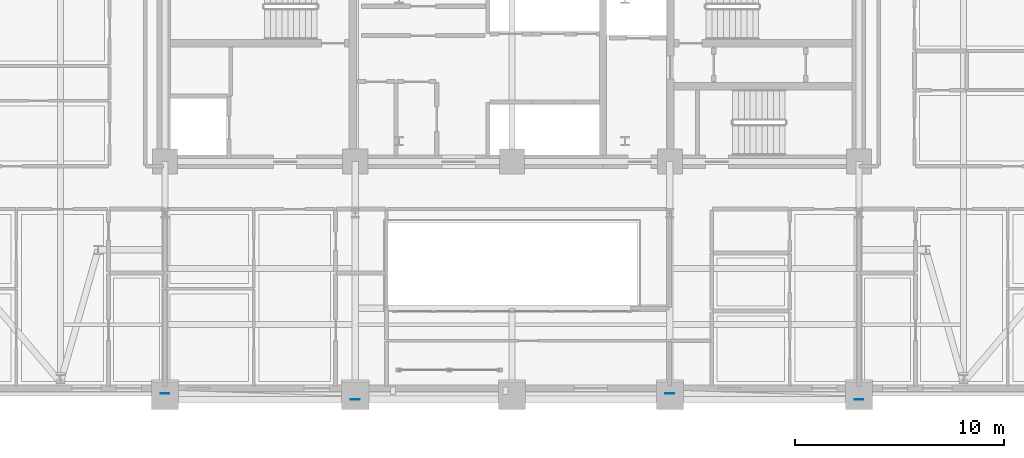
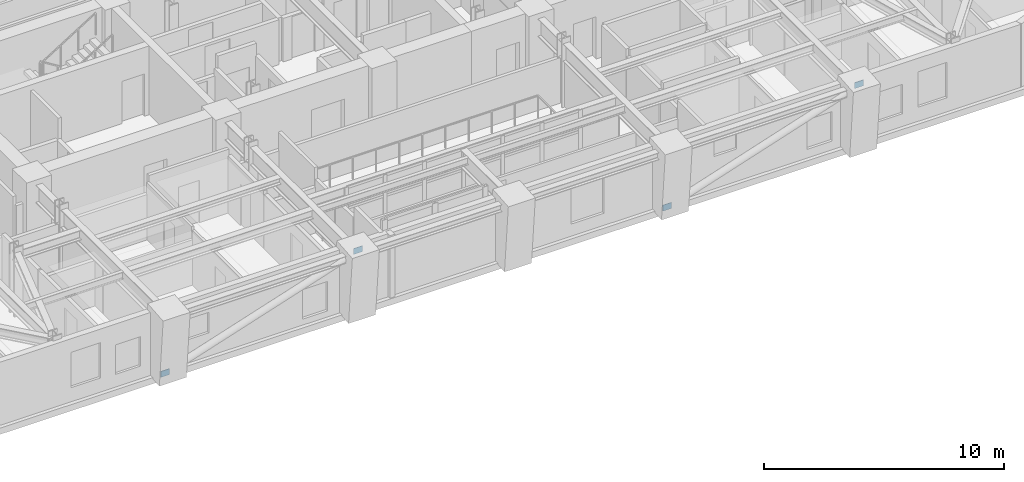
# One storey, part 7 of 16: 4 plates.
"""IFC4 building model written with IfcOpenShell, lengths in metres."""

import ifcopenshell
import ifcopenshell.guid

model = None  # the IFC model being written
_history = None  # IfcOwnerHistory: only IFC2X3 demands one
_inside = {}  # id of a spatial element -> (the spatial element, [elements in it])
_under = {}  # id of a project, library or spatial element -> (it, [spatial elements below it])
_declared = {}  # id of a project -> (the project, [libraries it declares])
_typed = {}  # id of a type object -> (the type object, [elements of that type])
_made_of = {}  # id of a material, layer set ... -> (it, [elements and type objects made of it])


def new_model(schema):
    """Start an empty IFC model of exactly this schema.

    Asked for "IFC4X3", IfcOpenShell would pick the latest addendum, in which some entities
    have other attributes; the version numbers below select the first issue.
    IFC2X3 requires an IfcOwnerHistory on every rooted entity: one is made here for all.
    """
    global model, _history
    if schema == "IFC4X3":
        model = ifcopenshell.file(schema_version=(4, 3, 0, 0))
    else:
        model = ifcopenshell.file(schema=schema)
    _inside.clear()
    _under.clear()
    _declared.clear()
    _typed.clear()
    _made_of.clear()
    _history = None
    if model.schema == "IFC2X3":
        org = make("IfcOrganization", Name="unknown")
        user = make(
            "IfcPersonAndOrganization",
            ThePerson=make("IfcPerson", FamilyName="unknown"),
            TheOrganization=org,
        )
        app = make(
            "IfcApplication",
            ApplicationDeveloper=org,
            Version="unknown",
            ApplicationFullName="unknown",
            ApplicationIdentifier="unknown",
        )
        _history = make(
            "IfcOwnerHistory",
            OwningUser=user,
            OwningApplication=app,
            ChangeAction="ADDED",
            CreationDate=0,
        )
    return model


def make(cls, **values):
    """One entity of the class cls with the attributes given. An attribute that is None is left unset."""
    return model.create_entity(
        cls, **{name: value for name, value in values.items() if value is not None}
    )


def rooted(cls, **values):
    """An entity with a GlobalId (a new one), such as an element, a storey or a relation."""
    return make(cls, GlobalId=ifcopenshell.guid.new(), OwnerHistory=_history, **values)


def si_unit(unit_type, name, prefix=None):
    """IfcSIUnit, for example si_unit("LENGTHUNIT", "METRE", prefix="MILLI")."""
    return make("IfcSIUnit", UnitType=unit_type, Prefix=prefix, Name=name)


def assignment(units):
    """IfcUnitAssignment: the units of a project."""
    return None if units is None else make("IfcUnitAssignment", Units=units)


def point(xyz):
    """IfcCartesianPoint."""
    return None if xyz is None else make("IfcCartesianPoint", Coordinates=xyz)


def direction(xyz):
    """IfcDirection."""
    return None if xyz is None else make("IfcDirection", DirectionRatios=xyz)


def frame(location, z_axis=None, x_axis=None):
    """IfcAxis2Placement3D, a coordinate frame: its origin and axes. An axis left out is left unset."""
    return make(
        "IfcAxis2Placement3D",
        Location=point(location),
        Axis=direction(z_axis),
        RefDirection=direction(x_axis),
    )


def frame_2d(location, x_axis=None):
    """IfcAxis2Placement2D, a coordinate frame in the plane: its origin and x axis."""
    return make(
        "IfcAxis2Placement2D", Location=point(location), RefDirection=direction(x_axis)
    )


def origin():
    """The frame at (0, 0, 0) with its axes left unset."""
    return frame((0.0, 0.0, 0.0))


def origin_2d():
    """The frame at (0, 0) in the plane with its x axis left unset."""
    return frame_2d((0.0, 0.0))


def place(relative_to, where):
    """IfcLocalPlacement: puts the frame where relative to a parent placement (None: the world)."""
    return make(
        "IfcLocalPlacement", PlacementRelTo=relative_to, RelativePlacement=where
    )


def context(
    kind, dimensions, precision=None, world=None, true_north=None, identifier=None
):
    """IfcGeometricRepresentationContext, for example the 3D "Model" context."""
    return make(
        "IfcGeometricRepresentationContext",
        ContextIdentifier=identifier,
        ContextType=kind,
        CoordinateSpaceDimension=dimensions,
        Precision=precision,
        WorldCoordinateSystem=world,
        TrueNorth=true_north,
    )


def subcontext(parent, identifier, kind, view, scale=None):
    """IfcGeometricRepresentationSubContext, for example "Body" below "Model"."""
    return make(
        "IfcGeometricRepresentationSubContext",
        ContextIdentifier=identifier,
        ContextType=kind,
        ParentContext=parent,
        TargetScale=scale,
        TargetView=view,
    )


def project(units=None, contexts=None):
    """IfcProject with its units and contexts."""
    return rooted(
        "IfcProject",
        Name="project",
        RepresentationContexts=contexts,
        UnitsInContext=assignment(units),
    )


def spatial(cls, under=None, at=None, **own):
    """A site, building, storey or space (cls), placed at a placement, below another one or the project."""
    s = rooted(cls, ObjectPlacement=at, **own)
    if under is not None:
        _under.setdefault(under.id(), (under, []))[1].append(s)
    return s


def profile(cls, at=None, kind="AREA", **sizes):
    """A parametric profile (cls). Its sizes go by their IFC names, for example OverallWidth=200.0."""
    return make(cls, ProfileType=kind, Position=at, **sizes)


def rectangle(**sizes):
    """IfcRectangleProfileDef."""
    return profile("IfcRectangleProfileDef", **sizes)


def extrude(swept, where, along, depth):
    """IfcExtrudedAreaSolid: the profile swept, set in the frame where, extruded along a direction by depth."""
    return make(
        "IfcExtrudedAreaSolid",
        SweptArea=swept,
        Position=where,
        ExtrudedDirection=direction(along),
        Depth=depth,
    )


def shape(context_of_items, identifier, shape_type, items):
    """IfcShapeRepresentation: the items that make up one representation, for example the "Body"."""
    return make(
        "IfcShapeRepresentation",
        ContextOfItems=context_of_items,
        RepresentationIdentifier=identifier,
        RepresentationType=shape_type,
        Items=items,
    )


def material(Name=None, Category=None):
    """IfcMaterial."""
    return make("IfcMaterial", Name=Name, Category=Category)


def layer(
    of_material, thickness, ventilated=None, Name=None, Category=None, Priority=None
):
    """IfcMaterialLayer: one layer of a wall or slab, of a material (None: an air gap)."""
    return make(
        "IfcMaterialLayer",
        Material=of_material,
        LayerThickness=thickness,
        IsVentilated=ventilated,
        Name=Name,
        Category=Category,
        Priority=Priority,
    )


def layer_set(layers, Name=None):
    """IfcMaterialLayerSet."""
    return make("IfcMaterialLayerSet", MaterialLayers=layers, LayerSetName=Name)


def made_of(thing, what):
    """Note that an element or type object is made of a material, layer set ...; save() writes the relation."""
    if what is not None:
        _made_of.setdefault(what.id(), (what, []))[1].append(thing)
    return thing


def type_object(cls, material=None, **own):
    """A type object (cls), such as IfcWallType, which elements share."""
    return made_of(rooted(cls, **own), material)


def element(
    cls,
    number,
    at=None,
    inside=None,
    cuts=None,
    type_object=None,
    material=None,
    context=None,
    identifier="Body",
    shape_type=None,
    held_by="IfcProductDefinitionShape",
    body=None,
    shapes=None,
    **own,
):
    """One element of the class cls, such as IfcWall. Its Tag is "e" and its number.

    at: its placement. inside: the storey or other place that contains it. cuts: it is an
    opening in that element (IfcRelVoidsElement). A single representation is given by context,
    identifier, shape_type and body (its items); several are given by shapes. held_by: the class
    of the entity that holds the representations. save() writes the other relations.
    """
    e = rooted(cls, Tag="e%d" % number, ObjectPlacement=at, **own)
    if body is not None:
        shapes = [shape(context, identifier, shape_type, body)]
    if shapes is not None:
        e.Representation = make(held_by, Representations=shapes)
    if inside is not None:
        _inside.setdefault(inside.id(), (inside, []))[1].append(e)
    if cuts is not None:
        rooted(
            "IfcRelVoidsElement", RelatingBuildingElement=cuts, RelatedOpeningElement=e
        )
    if type_object is not None:
        _typed.setdefault(type_object.id(), (type_object, []))[1].append(e)
    return made_of(e, material)


def aggregate(whole, parts):
    """IfcRelAggregates: a whole, such as a stair, and the parts it consists of."""
    return rooted("IfcRelAggregates", RelatingObject=whole, RelatedObjects=parts)


def save(model, path):
    """Write the relations noted so far, then the file.

    IfcRelAggregates (storeys below a building ...), IfcRelContainedInSpatialStructure (elements
    in a storey), IfcRelDefinesByType, IfcRelAssociatesMaterial and IfcRelDeclares: one each for
    every whole, place, type object, material and project.
    """
    for whole, parts in _under.values():
        aggregate(whole, parts)
    for where, things in _inside.values():
        rooted(
            "IfcRelContainedInSpatialStructure",
            RelatedElements=things,
            RelatingStructure=where,
        )
    for kind, things in _typed.values():
        rooted("IfcRelDefinesByType", RelatedObjects=things, RelatingType=kind)
    for what, things in _made_of.values():
        rooted("IfcRelAssociatesMaterial", RelatedObjects=things, RelatingMaterial=what)
    for by, libraries in _declared.values():
        rooted("IfcRelDeclares", RelatingContext=by, RelatedDefinitions=libraries)
    model.write(path)


model = new_model("IFC4")

# Units and contexts
model_context = context("Model", 3, precision=1e-05, world=origin(), true_north=direction((0.0, 1.0)))
body_context = subcontext(model_context, "Body", "Model", "MODEL_VIEW")
ifc_project = project(units=[si_unit("LENGTHUNIT", "METRE"), si_unit("AREAUNIT", "SQUARE_METRE"), si_unit("VOLUMEUNIT", "CUBIC_METRE"), si_unit("PLANEANGLEUNIT", "RADIAN"), si_unit("MASSUNIT", "GRAM", prefix="KILO")], contexts=[model_context])

# Site, building, storey
site_placement = place(None, origin())
site = spatial("IfcSite", under=ifc_project, at=site_placement, CompositionType="ELEMENT")
building_placement = place(site_placement, origin())
building = spatial("IfcBuilding", under=site, at=building_placement, Name="Zarnavel Station Tower", CompositionType="ELEMENT")
storey_placement = place(building_placement, frame((0.0, 0.0, 104.800048828125)))
storey = spatial("IfcBuildingStorey", under=building, at=storey_placement, Name="L28", CompositionType="ELEMENT", Elevation=104.800048828125)

# Plates
ifc_material = material(Name="Steel S460M", Category="steel")
ifc_layer = layer(ifc_material, 0.02490234375)
ifc_layer_set = layer_set([ifc_layer], Name="GP_GUSSET_25")
plate_type = type_object("IfcPlateType", Name="GP_GUSSET_25", PredefinedType="USERDEFINED", material=ifc_layer_set)
for number, where, z_axis, x_axis, name in (
    (1, (12.199951171875, 16.73095703125, -0.14990234375), (0.0, 0.0, 1.0), (1.0, 0.0, 0.0), "L28 Exterior Diagonal Brace End Gusset 1-1"),
    (2, (21.300048828125, 16.4375, 3.08984375), (0.0, 0.0, 1.0), (1.0, 0.0, 0.0), "L28 Exterior Diagonal Brace End Gusset 1-2"),
    (3, (36.35009765625, 16.73095703125, -0.14990234375), (0.0, 0.0, 1.0), (1.0, 0.0, 0.0), "L28 Exterior Diagonal Brace End Gusset 2-1"),
    (4, (45.39990234375, 16.4375, 3.08984375), (0.0, 0.0, 1.0), (1.0, 0.0, 0.0), "L28 Exterior Diagonal Brace End Gusset 2-2"),
):
    element("IfcPlate", number, at=place(storey_placement, frame(where, z_axis=z_axis, x_axis=x_axis)), inside=storey, type_object=plate_type, Name=name, ObjectType="GUSSET_PLATE", PredefinedType="USERDEFINED", context=body_context, shape_type="SweptSolid", body=[
        extrude(rectangle(XDim=0.419921875, YDim=0.02490234375, at=origin_2d()), origin(), (0.0, 0.0, 1.0), 0.300048828125),
    ])

save(model, "model.ifc")
